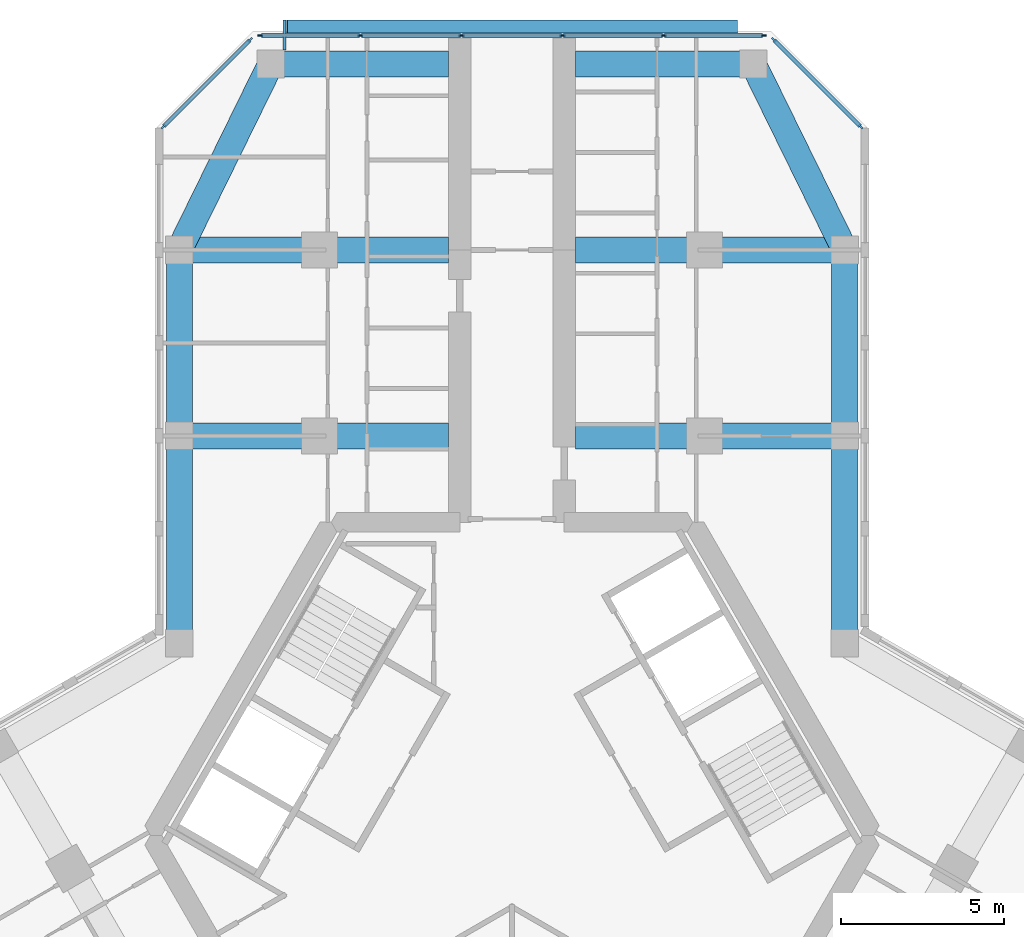
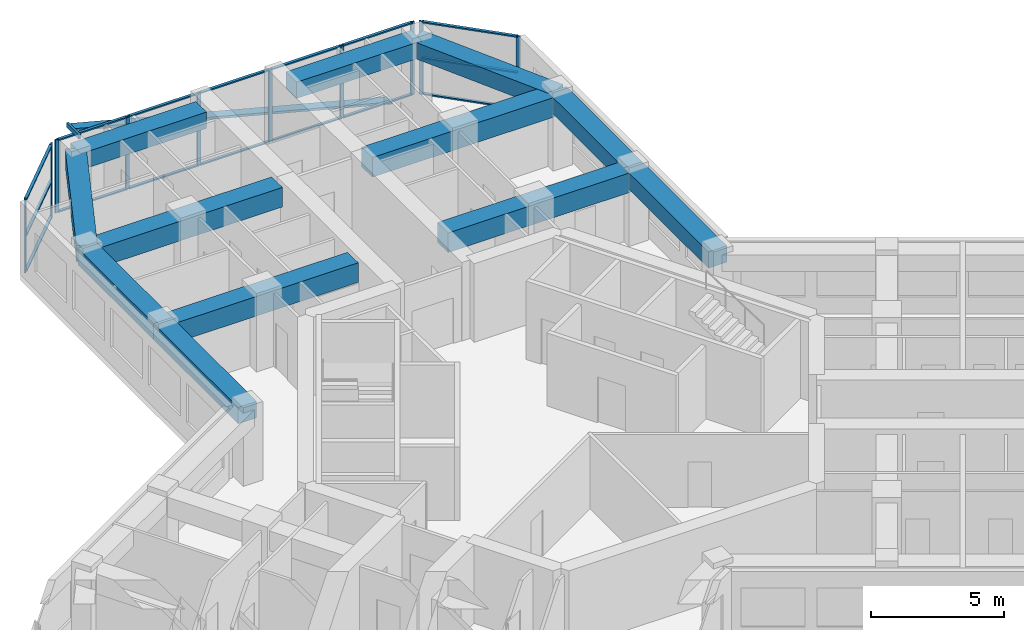
# One storey, part 6 of 16: 28 members, 12 beams, 3 elements without a shape of their own.
"""IFC4 building model written with IfcOpenShell, lengths in metres."""

from ifc_helpers import new_model, si_unit, direction, frame, origin, origin_2d, place, context, subcontext, project, spatial, rectangle, hollow_rectangle, extrude, material, material_profile, profile_set, type_object, element, aggregate, save


model = new_model("IFC4")

# Units and contexts
model_context = context("Model", 3, precision=1e-05, world=origin(), true_north=direction((0.0, 1.0)))
body_context = subcontext(model_context, "Body", "Model", "MODEL_VIEW")
ifc_project = project(units=[si_unit("LENGTHUNIT", "METRE"), si_unit("AREAUNIT", "SQUARE_METRE"), si_unit("VOLUMEUNIT", "CUBIC_METRE"), si_unit("PLANEANGLEUNIT", "RADIAN"), si_unit("MASSUNIT", "GRAM", prefix="KILO")], contexts=[model_context])

# Site, building, storey
site_placement = place(None, origin())
site = spatial("IfcSite", under=ifc_project, at=site_placement, CompositionType="ELEMENT")
building_placement = place(site_placement, origin())
building = spatial("IfcBuilding", under=site, at=building_placement, Name="Kosmar Iwan School Tower", CompositionType="ELEMENT")
storey_placement = place(building_placement, frame((0.0, 0.0, 246.0)))
storey = spatial("IfcBuildingStorey", under=building, at=storey_placement, Name="L62", CompositionType="ELEMENT", Elevation=246.0)

# Members
ifc_material_1 = material(Name="Black anodised aluminium", Category="aluminium")
ifc_material_profile_1 = material_profile(ifc_material_1, rectangle(XDim=0.10009765625, YDim=0.39990234375, at=origin_2d()), Name="FIN 100x400")
ifc_profile_set_1 = profile_set([ifc_material_profile_1], Name="Black anodised aluminium")
member_type_1 = type_object("IfcMemberType", Name="Diagonal fin 100x400", PredefinedType="USERDEFINED", material=ifc_profile_set_1)
member_1_placement = place(storey_placement, frame((6.898193359375, 24.800048828125, -0.14990234375), z_axis=(-0.967603633438, 0.0, 0.252474174041), x_axis=(0.252474174041, 0.0, 0.967603633438)))
element("IfcMember", 1, at=member_1_placement, inside=storey, type_object=member_type_1, Name="Diagonal fin L62-F06", ObjectType="FIN", PredefinedType="USERDEFINED", context=body_context, shape_type="SweptSolid", body=[
    extrude(rectangle(XDim=0.10009765625, YDim=0.39990234375, at=origin_2d()), origin(), (0.0, 0.0, 1.0), 14.25830078125),
])
ifc_material_2 = material(Name="Steel S355", Category="steel")
ifc_material_profile_2 = material_profile(ifc_material_2, hollow_rectangle(XDim=0.10009765625, YDim=0.199951171875, WallThickness=0.008056640625, at=origin_2d()), Name="RHS 200x100x8")
ifc_profile_set_2 = profile_set([ifc_material_profile_2], Name="Steel S355")
member_type_2 = type_object("IfcMemberType", Name="Fin bracket RHS 200x100", PredefinedType="USERDEFINED", material=ifc_profile_set_2)
member_2_placement = place(storey_placement, frame((-6.97509765625, 24.074951171875, 3.47509765625), z_axis=(0.0, 1.0, 0.0), x_axis=(-1.0, 0.0, 0.0)))
element("IfcMember", 2, at=member_2_placement, inside=storey, type_object=member_type_2, Name="Fin bracket L63", ObjectType="FIN BRACKET", PredefinedType="USERDEFINED", context=body_context, shape_type="SweptSolid", body=[
    extrude(hollow_rectangle(XDim=0.10009765625, YDim=0.199951171875, WallThickness=0.008056640625, at=origin_2d()), origin(), (0.0, 0.0, 1.0), 0.925048828125),
])

# Curtain wall, members
ifc_material_3 = material(Name="Dark glass in black aluminium frame", Category="aluminium")
curtain_wall_type_1 = type_object("IfcCurtainWallType", Name="Chamfer curtain wall dark glass", PredefinedType="USERDEFINED", material=ifc_material_3)
curtain_wall_1_placement = place(storey_placement, origin())
curtain_wall_1 = element("IfcCurtainWall", 3, at=curtain_wall_1_placement, inside=storey, type_object=curtain_wall_type_1, Name="Curtain wall L62-F05", ObjectType="FACETED CURTAIN WALL", PredefinedType="USERDEFINED")
ifc_material_4 = material(Name="Black anodised aluminium", Category="aluminium")
ifc_material_profile_3 = material_profile(ifc_material_4, rectangle(XDim=0.06005859375, YDim=0.159912109375, at=origin_2d()), Name="MULLION 60x160")
ifc_profile_set_3 = profile_set([ifc_material_profile_3], Name="Black anodised aluminium")
member_type_3 = type_object("IfcMemberType", Name="Mullion 60x160", PredefinedType="MULLION", material=ifc_profile_set_3)
member_3_placement = place(storey_placement, frame((10.69775390625, 21.7255859375, 0.0), z_axis=(0.0, 0.0, 1.0), x_axis=(-0.707106781187, -0.707106781187, 0.0)))
member_3 = element("IfcMember", 4, at=member_3_placement, type_object=member_type_3, Name="CW2 mullion 1", PredefinedType="MULLION", context=body_context, shape_type="SweptSolid", body=[
    extrude(rectangle(XDim=0.06005859375, YDim=0.159912109375, at=origin_2d()), origin(), (0.0, 0.0, 1.0), 3.35009765625),
])
member_4_placement = place(storey_placement, frame((8.025390625, 24.397705078125, 0.0), z_axis=(0.0, 0.0, 1.0), x_axis=(-0.707106781187, -0.707106781187, 0.0)))
member_4 = element("IfcMember", 5, at=member_4_placement, type_object=member_type_3, Name="CW2 mullion 2", PredefinedType="MULLION", context=body_context, shape_type="SweptSolid", body=[
    extrude(rectangle(XDim=0.06005859375, YDim=0.159912109375, at=origin_2d()), origin(), (0.0, 0.0, 1.0), 3.35009765625),
])

ifc_material_5 = material(Name="Dark glass in black aluminium frame", Category="aluminium")
curtain_wall_type_2 = type_object("IfcCurtainWallType", Name="Tower curtain wall dark glass", PredefinedType="USERDEFINED", material=ifc_material_5)
curtain_wall_2_placement = place(storey_placement, origin())
curtain_wall_2 = element("IfcCurtainWall", 6, at=curtain_wall_2_placement, inside=storey, type_object=curtain_wall_type_2, Name="Curtain wall L62-F06", ObjectType="UNITISED CURTAIN WALL", PredefinedType="USERDEFINED")
member_5_placement = place(storey_placement, frame((7.71826171875, 24.52490234375, 0.0), z_axis=(0.0, 0.0, 1.0), x_axis=(0.0, -1.0, 0.0)))
member_5 = element("IfcMember", 7, at=member_5_placement, type_object=member_type_3, Name="CW1 mullion 1", PredefinedType="MULLION", context=body_context, shape_type="SweptSolid", body=[
    extrude(rectangle(XDim=0.06005859375, YDim=0.159912109375, at=origin_2d()), origin(), (0.0, 0.0, 1.0), 3.35009765625),
])
member_6_placement = place(storey_placement, frame((4.64892578125, 24.52490234375, 0.0), z_axis=(0.0, 0.0, 1.0), x_axis=(0.0, -1.0, 0.0)))
member_6 = element("IfcMember", 8, at=member_6_placement, type_object=member_type_3, Name="CW1 mullion 2", PredefinedType="MULLION", context=body_context, shape_type="SweptSolid", body=[
    extrude(rectangle(XDim=0.06005859375, YDim=0.159912109375, at=origin_2d()), origin(), (0.0, 0.0, 1.0), 3.35009765625),
])
member_7_placement = place(storey_placement, frame((1.549560546875, 24.52490234375, 0.0), z_axis=(0.0, 0.0, 1.0), x_axis=(0.0, -1.0, 0.0)))
member_7 = element("IfcMember", 9, at=member_7_placement, type_object=member_type_3, Name="CW1 mullion 3", PredefinedType="MULLION", context=body_context, shape_type="SweptSolid", body=[
    extrude(rectangle(XDim=0.06005859375, YDim=0.159912109375, at=origin_2d()), origin(), (0.0, 0.0, 1.0), 3.35009765625),
])
member_8_placement = place(storey_placement, frame((-1.549560546875, 24.52490234375, 0.0), z_axis=(0.0, 0.0, 1.0), x_axis=(0.0, -1.0, 0.0)))
member_8 = element("IfcMember", 10, at=member_8_placement, type_object=member_type_3, Name="CW1 mullion 4", PredefinedType="MULLION", context=body_context, shape_type="SweptSolid", body=[
    extrude(rectangle(XDim=0.06005859375, YDim=0.159912109375, at=origin_2d()), origin(), (0.0, 0.0, 1.0), 3.35009765625),
])
member_9_placement = place(storey_placement, frame((-4.64892578125, 24.52490234375, 0.0), z_axis=(0.0, 0.0, 1.0), x_axis=(0.0, -1.0, 0.0)))
member_9 = element("IfcMember", 11, at=member_9_placement, type_object=member_type_3, Name="CW1 mullion 5", PredefinedType="MULLION", context=body_context, shape_type="SweptSolid", body=[
    extrude(rectangle(XDim=0.06005859375, YDim=0.159912109375, at=origin_2d()), origin(), (0.0, 0.0, 1.0), 3.35009765625),
])
member_10_placement = place(storey_placement, frame((-7.71826171875, 24.52490234375, 0.0), z_axis=(0.0, 0.0, 1.0), x_axis=(0.0, -1.0, 0.0)))
member_10 = element("IfcMember", 12, at=member_10_placement, type_object=member_type_3, Name="CW1 mullion 6", PredefinedType="MULLION", context=body_context, shape_type="SweptSolid", body=[
    extrude(rectangle(XDim=0.06005859375, YDim=0.159912109375, at=origin_2d()), origin(), (0.0, 0.0, 1.0), 3.35009765625),
])

curtain_wall_3_placement = place(storey_placement, origin())
curtain_wall_3 = element("IfcCurtainWall", 13, at=curtain_wall_3_placement, inside=storey, type_object=curtain_wall_type_1, Name="Curtain wall L62-F07", ObjectType="FACETED CURTAIN WALL", PredefinedType="USERDEFINED")
member_11_placement = place(storey_placement, frame((-8.025390625, 24.397705078125, 0.0), z_axis=(0.0, 0.0, 1.0), x_axis=(0.707106781187, -0.707106781187, 0.0)))
member_11 = element("IfcMember", 14, at=member_11_placement, type_object=member_type_3, Name="CW2 mullion 1", PredefinedType="MULLION", context=body_context, shape_type="SweptSolid", body=[
    extrude(rectangle(XDim=0.06005859375, YDim=0.159912109375, at=origin_2d()), origin(), (0.0, 0.0, 1.0), 3.35009765625),
])
member_12_placement = place(storey_placement, frame((-10.69775390625, 21.7255859375, 0.0), z_axis=(0.0, 0.0, 1.0), x_axis=(0.707106781187, -0.707106781187, 0.0)))
member_12 = element("IfcMember", 15, at=member_12_placement, type_object=member_type_3, Name="CW2 mullion 2", PredefinedType="MULLION", context=body_context, shape_type="SweptSolid", body=[
    extrude(rectangle(XDim=0.06005859375, YDim=0.159912109375, at=origin_2d()), origin(), (0.0, 0.0, 1.0), 3.35009765625),
])

# Beams
ifc_material_6 = material(Name="Concrete C50/60", Category="concrete")
ifc_material_profile_4 = material_profile(ifc_material_6, rectangle(XDim=0.800048828125, YDim=0.75, at=origin_2d()), Name="RC 800x750")
ifc_profile_set_4 = profile_set([ifc_material_profile_4], Name="Concrete C50/60")
beam_type_1 = type_object("IfcBeamType", Name="RC edge beam 800x750", PredefinedType="BEAM", material=ifc_profile_set_4)
beam_1_placement = place(storey_placement, frame((-10.199951171875, 5.888916015625, 2.97509765625), z_axis=(0.0, 1.0, 0.0), x_axis=(-1.0, 0.0, 0.0)))
element("IfcBeam", 16, at=beam_1_placement, inside=storey, type_object=beam_type_1, Name="Edge beam AL1", PredefinedType="BEAM", context=body_context, shape_type="SweptSolid", body=[
    extrude(rectangle(XDim=0.800048828125, YDim=0.75, at=origin_2d()), origin(), (0.0, 0.0, 1.0), 6.361083984375),
])
beam_2_placement = place(storey_placement, frame((-10.199951171875, 12.25, 2.97509765625), z_axis=(0.0, 1.0, 0.0), x_axis=(-1.0, 0.0, 0.0)))
element("IfcBeam", 17, at=beam_2_placement, inside=storey, type_object=beam_type_1, Name="Edge beam AL2", PredefinedType="BEAM", context=body_context, shape_type="SweptSolid", body=[
    extrude(rectangle(XDim=0.800048828125, YDim=0.75, at=origin_2d()), origin(), (0.0, 0.0, 1.0), 5.699951171875),
])
beam_3_placement = place(storey_placement, frame((10.199951171875, 5.888916015625, 2.97509765625), z_axis=(0.0, 1.0, 0.0), x_axis=(-1.0, 0.0, 0.0)))
element("IfcBeam", 18, at=beam_3_placement, inside=storey, type_object=beam_type_1, Name="Edge beam AR1", PredefinedType="BEAM", context=body_context, shape_type="SweptSolid", body=[
    extrude(rectangle(XDim=0.800048828125, YDim=0.75, at=origin_2d()), origin(), (0.0, 0.0, 1.0), 6.361083984375),
])
beam_4_placement = place(storey_placement, frame((10.199951171875, 12.25, 2.97509765625), z_axis=(0.0, 1.0, 0.0), x_axis=(-1.0, 0.0, 0.0)))
element("IfcBeam", 19, at=beam_4_placement, inside=storey, type_object=beam_type_1, Name="Edge beam AR2", PredefinedType="BEAM", context=body_context, shape_type="SweptSolid", body=[
    extrude(rectangle(XDim=0.800048828125, YDim=0.75, at=origin_2d()), origin(), (0.0, 0.0, 1.0), 5.699951171875),
])
ifc_material_7 = material(Name="Concrete C50/60", Category="concrete")
ifc_material_profile_5 = material_profile(ifc_material_7, rectangle(XDim=0.800048828125, YDim=0.75, at=origin_2d()), Name="RC 800x750")
ifc_profile_set_5 = profile_set([ifc_material_profile_5], Name="Concrete C50/60")
beam_type_2 = type_object("IfcBeamType", Name="RC tip beam 800x750", PredefinedType="BEAM", material=ifc_profile_set_5)
beam_5_placement = place(storey_placement, frame((-10.199951171875, 17.949951171875, 2.97509765625), z_axis=(0.440913116462, 0.897549788999, 0.0), x_axis=(-0.897549788999, 0.440913116462, 0.0)))
element("IfcBeam", 20, at=beam_5_placement, inside=storey, type_object=beam_type_2, Name="Tip beam AL", PredefinedType="BEAM", context=body_context, shape_type="SweptSolid", body=[
    extrude(rectangle(XDim=0.800048828125, YDim=0.75, at=origin_2d()), origin(), (0.0, 0.0, 1.0), 6.3505859375),
])
beam_6_placement = place(storey_placement, frame((-7.39990234375, 23.64990234375, 2.97509765625), z_axis=(1.0, 0.0, 0.0), x_axis=(0.0, 1.0, 0.0)))
element("IfcBeam", 21, at=beam_6_placement, inside=storey, type_object=beam_type_2, Name="Tip beam AL to corridor wall", PredefinedType="BEAM", context=body_context, shape_type="SweptSolid", body=[
    extrude(rectangle(XDim=0.800048828125, YDim=0.75, at=origin_2d()), origin(), (0.0, 0.0, 1.0), 5.449951171875),
])
beam_7_placement = place(storey_placement, frame((10.199951171875, 17.949951171875, 2.97509765625), z_axis=(-0.440913116462, 0.897549788999, 0.0), x_axis=(-0.897549788999, -0.440913116462, 0.0)))
element("IfcBeam", 22, at=beam_7_placement, inside=storey, type_object=beam_type_2, Name="Tip beam AR", PredefinedType="BEAM", context=body_context, shape_type="SweptSolid", body=[
    extrude(rectangle(XDim=0.800048828125, YDim=0.75, at=origin_2d()), origin(), (0.0, 0.0, 1.0), 6.3505859375),
])
beam_8_placement = place(storey_placement, frame((7.39990234375, 23.64990234375, 2.97509765625), z_axis=(-1.0, 0.0, 0.0), x_axis=(0.0, -1.0, 0.0)))
element("IfcBeam", 23, at=beam_8_placement, inside=storey, type_object=beam_type_2, Name="Tip beam AR to corridor wall", PredefinedType="BEAM", context=body_context, shape_type="SweptSolid", body=[
    extrude(rectangle(XDim=0.800048828125, YDim=0.75, at=origin_2d()), origin(), (0.0, 0.0, 1.0), 5.449951171875),
])
ifc_material_8 = material(Name="Concrete C50/60", Category="concrete")
ifc_material_profile_6 = material_profile(ifc_material_8, rectangle(XDim=0.800048828125, YDim=0.89990234375, at=origin_2d()), Name="RC 800x900")
ifc_profile_set_6 = profile_set([ifc_material_profile_6], Name="Concrete C50/60")
beam_type_3 = type_object("IfcBeamType", Name="RC transverse beam 800x900", PredefinedType="BEAM", material=ifc_profile_set_6)
for number, where, z_axis, x_axis, name in (
    (24, (-10.199951171875, 12.25, 2.89990234375), (1.0, 0.0, 0.0), (0.0, 1.0, 0.0), "Transverse beam AL1"),
    (25, (-10.199951171875, 17.949951171875, 2.89990234375), (1.0, 0.0, 0.0), (0.0, 1.0, 0.0), "Transverse beam AL2"),
    (26, (10.199951171875, 12.25, 2.89990234375), (-1.0, 0.0, 0.0), (0.0, -1.0, 0.0), "Transverse beam AR1"),
    (27, (10.199951171875, 17.949951171875, 2.89990234375), (-1.0, 0.0, 0.0), (0.0, -1.0, 0.0), "Transverse beam AR2"),
):
    element("IfcBeam", number, at=place(storey_placement, frame(where, z_axis=z_axis, x_axis=x_axis)), inside=storey, type_object=beam_type_3, Name=name, PredefinedType="BEAM", context=body_context, shape_type="SweptSolid", body=[
        extrude(rectangle(XDim=0.800048828125, YDim=0.89990234375, at=origin_2d()), origin(), (0.0, 0.0, 1.0), 8.25),
    ])

# Member
ifc_material_9 = material(Name="Black anodised aluminium", Category="aluminium")
ifc_material_profile_7 = material_profile(ifc_material_9, rectangle(XDim=0.1201171875, YDim=0.06005859375, at=origin_2d()), Name="TRANSOM 60x120")
ifc_profile_set_7 = profile_set([ifc_material_profile_7], Name="Black anodised aluminium")
member_type_4 = type_object("IfcMemberType", Name="Transom 60x120", PredefinedType="USERDEFINED", material=ifc_profile_set_7)
member_13_placement = place(storey_placement, frame((10.676513671875, 21.746826171875, 0.030029296875), z_axis=(-0.707139603466, 0.707073957383, 0.0), x_axis=(-0.707073957383, -0.707139603466, 0.0)))
member_13 = element("IfcMember", 28, at=member_13_placement, type_object=member_type_4, Name="CW2 transom 1.1", ObjectType="TRANSOM", PredefinedType="USERDEFINED", context=body_context, shape_type="SweptSolid", body=[
    extrude(rectangle(XDim=0.1201171875, YDim=0.06005859375, at=origin_2d()), origin(), (0.0, 0.0, 1.0), 3.718994140625),
])

member_14_placement = place(storey_placement, frame((10.676513671875, 21.746826171875, 1.675048828125), z_axis=(-0.707139603466, 0.707073957383, 0.0), x_axis=(-0.707073957383, -0.707139603466, 0.0)))
member_14 = element("IfcMember", 29, at=member_14_placement, type_object=member_type_4, Name="CW2 transom 1.2", ObjectType="TRANSOM", PredefinedType="USERDEFINED", context=body_context, shape_type="SweptSolid", body=[
    extrude(rectangle(XDim=0.1201171875, YDim=0.06005859375, at=origin_2d()), origin(), (0.0, 0.0, 1.0), 3.718994140625),
])

member_15_placement = place(storey_placement, frame((10.676513671875, 21.746826171875, 3.320068359375), z_axis=(-0.707139603466, 0.707073957383, 0.0), x_axis=(-0.707073957383, -0.707139603466, 0.0)))
member_15 = element("IfcMember", 30, at=member_15_placement, type_object=member_type_4, Name="CW2 transom 1.3", ObjectType="TRANSOM", PredefinedType="USERDEFINED", context=body_context, shape_type="SweptSolid", body=[
    extrude(rectangle(XDim=0.1201171875, YDim=0.06005859375, at=origin_2d()), origin(), (0.0, 0.0, 1.0), 3.718994140625),
])

aggregate(curtain_wall_1, [member_3, member_4, member_13, member_14, member_15])

member_16_placement = place(storey_placement, frame((7.688232421875, 24.52490234375, 0.030029296875), z_axis=(-1.0, 0.0, 0.0), x_axis=(0.0, -1.0, 0.0)))
member_16 = element("IfcMember", 31, at=member_16_placement, type_object=member_type_4, Name="CW1 transom 1.1", ObjectType="TRANSOM", PredefinedType="USERDEFINED", context=body_context, shape_type="SweptSolid", body=[
    extrude(rectangle(XDim=0.1201171875, YDim=0.06005859375, at=origin_2d()), origin(), (0.0, 0.0, 1.0), 3.00927734375),
])

member_17_placement = place(storey_placement, frame((7.688232421875, 24.52490234375, 3.320068359375), z_axis=(-1.0, 0.0, 0.0), x_axis=(0.0, -1.0, 0.0)))
member_17 = element("IfcMember", 32, at=member_17_placement, type_object=member_type_4, Name="CW1 transom 1.2", ObjectType="TRANSOM", PredefinedType="USERDEFINED", context=body_context, shape_type="SweptSolid", body=[
    extrude(rectangle(XDim=0.1201171875, YDim=0.06005859375, at=origin_2d()), origin(), (0.0, 0.0, 1.0), 3.00927734375),
])

member_18_placement = place(storey_placement, frame((4.618896484375, 24.52490234375, 0.030029296875), z_axis=(-1.0, 0.0, 0.0), x_axis=(0.0, -1.0, 0.0)))
member_18 = element("IfcMember", 33, at=member_18_placement, type_object=member_type_4, Name="CW1 transom 2.1", ObjectType="TRANSOM", PredefinedType="USERDEFINED", context=body_context, shape_type="SweptSolid", body=[
    extrude(rectangle(XDim=0.1201171875, YDim=0.06005859375, at=origin_2d()), origin(), (0.0, 0.0, 1.0), 3.039306640625),
])

member_19_placement = place(storey_placement, frame((4.618896484375, 24.52490234375, 3.320068359375), z_axis=(-1.0, 0.0, 0.0), x_axis=(0.0, -1.0, 0.0)))
member_19 = element("IfcMember", 34, at=member_19_placement, type_object=member_type_4, Name="CW1 transom 2.2", ObjectType="TRANSOM", PredefinedType="USERDEFINED", context=body_context, shape_type="SweptSolid", body=[
    extrude(rectangle(XDim=0.1201171875, YDim=0.06005859375, at=origin_2d()), origin(), (0.0, 0.0, 1.0), 3.039306640625),
])

member_20_placement = place(storey_placement, frame((1.51953125, 24.52490234375, 0.030029296875), z_axis=(-1.0, 0.0, 0.0), x_axis=(0.0, -1.0, 0.0)))
member_20 = element("IfcMember", 35, at=member_20_placement, type_object=member_type_4, Name="CW1 transom 3.1", ObjectType="TRANSOM", PredefinedType="USERDEFINED", context=body_context, shape_type="SweptSolid", body=[
    extrude(rectangle(XDim=0.1201171875, YDim=0.06005859375, at=origin_2d()), origin(), (0.0, 0.0, 1.0), 3.0390625),
])

member_21_placement = place(storey_placement, frame((1.51953125, 24.52490234375, 3.320068359375), z_axis=(-1.0, 0.0, 0.0), x_axis=(0.0, -1.0, 0.0)))
member_21 = element("IfcMember", 36, at=member_21_placement, type_object=member_type_4, Name="CW1 transom 3.2", ObjectType="TRANSOM", PredefinedType="USERDEFINED", context=body_context, shape_type="SweptSolid", body=[
    extrude(rectangle(XDim=0.1201171875, YDim=0.06005859375, at=origin_2d()), origin(), (0.0, 0.0, 1.0), 3.0390625),
])

member_22_placement = place(storey_placement, frame((-1.57958984375, 24.52490234375, 0.030029296875), z_axis=(-1.0, 0.0, 0.0), x_axis=(0.0, -1.0, 0.0)))
member_22 = element("IfcMember", 37, at=member_22_placement, type_object=member_type_4, Name="CW1 transom 4.1", ObjectType="TRANSOM", PredefinedType="USERDEFINED", context=body_context, shape_type="SweptSolid", body=[
    extrude(rectangle(XDim=0.1201171875, YDim=0.06005859375, at=origin_2d()), origin(), (0.0, 0.0, 1.0), 3.039306640625),
])

member_23_placement = place(storey_placement, frame((-1.57958984375, 24.52490234375, 3.320068359375), z_axis=(-1.0, 0.0, 0.0), x_axis=(0.0, -1.0, 0.0)))
member_23 = element("IfcMember", 38, at=member_23_placement, type_object=member_type_4, Name="CW1 transom 4.2", ObjectType="TRANSOM", PredefinedType="USERDEFINED", context=body_context, shape_type="SweptSolid", body=[
    extrude(rectangle(XDim=0.1201171875, YDim=0.06005859375, at=origin_2d()), origin(), (0.0, 0.0, 1.0), 3.039306640625),
])

member_24_placement = place(storey_placement, frame((-4.678955078125, 24.52490234375, 0.030029296875), z_axis=(-1.0, 0.0, 0.0), x_axis=(0.0, -1.0, 0.0)))
member_24 = element("IfcMember", 39, at=member_24_placement, type_object=member_type_4, Name="CW1 transom 5.1", ObjectType="TRANSOM", PredefinedType="USERDEFINED", context=body_context, shape_type="SweptSolid", body=[
    extrude(rectangle(XDim=0.1201171875, YDim=0.06005859375, at=origin_2d()), origin(), (0.0, 0.0, 1.0), 3.00927734375),
])

member_25_placement = place(storey_placement, frame((-4.678955078125, 24.52490234375, 3.320068359375), z_axis=(-1.0, 0.0, 0.0), x_axis=(0.0, -1.0, 0.0)))
member_25 = element("IfcMember", 40, at=member_25_placement, type_object=member_type_4, Name="CW1 transom 5.2", ObjectType="TRANSOM", PredefinedType="USERDEFINED", context=body_context, shape_type="SweptSolid", body=[
    extrude(rectangle(XDim=0.1201171875, YDim=0.06005859375, at=origin_2d()), origin(), (0.0, 0.0, 1.0), 3.00927734375),
])

aggregate(curtain_wall_2, [member_5, member_6, member_7, member_8, member_9, member_10, member_16, member_17, member_18, member_19, member_20, member_21, member_22, member_23, member_24, member_25])

member_26_placement = place(storey_placement, frame((-8.046630859375, 24.37646484375, 0.030029296875), z_axis=(-0.707139603466, -0.707073957383, 0.0), x_axis=(0.707073957383, -0.707139603466, 0.0)))
member_26 = element("IfcMember", 41, at=member_26_placement, type_object=member_type_4, Name="CW2 transom 1.1", ObjectType="TRANSOM", PredefinedType="USERDEFINED", context=body_context, shape_type="SweptSolid", body=[
    extrude(rectangle(XDim=0.1201171875, YDim=0.06005859375, at=origin_2d()), origin(), (0.0, 0.0, 1.0), 3.718994140625),
])

member_27_placement = place(storey_placement, frame((-8.046630859375, 24.37646484375, 1.675048828125), z_axis=(-0.707139603466, -0.707073957383, 0.0), x_axis=(0.707073957383, -0.707139603466, 0.0)))
member_27 = element("IfcMember", 42, at=member_27_placement, type_object=member_type_4, Name="CW2 transom 1.2", ObjectType="TRANSOM", PredefinedType="USERDEFINED", context=body_context, shape_type="SweptSolid", body=[
    extrude(rectangle(XDim=0.1201171875, YDim=0.06005859375, at=origin_2d()), origin(), (0.0, 0.0, 1.0), 3.718994140625),
])

member_28_placement = place(storey_placement, frame((-8.046630859375, 24.37646484375, 3.320068359375), z_axis=(-0.707139603466, -0.707073957383, 0.0), x_axis=(0.707073957383, -0.707139603466, 0.0)))
member_28 = element("IfcMember", 43, at=member_28_placement, type_object=member_type_4, Name="CW2 transom 1.3", ObjectType="TRANSOM", PredefinedType="USERDEFINED", context=body_context, shape_type="SweptSolid", body=[
    extrude(rectangle(XDim=0.1201171875, YDim=0.06005859375, at=origin_2d()), origin(), (0.0, 0.0, 1.0), 3.718994140625),
])

aggregate(curtain_wall_3, [member_11, member_12, member_26, member_27, member_28])

save(model, "model.ifc")
